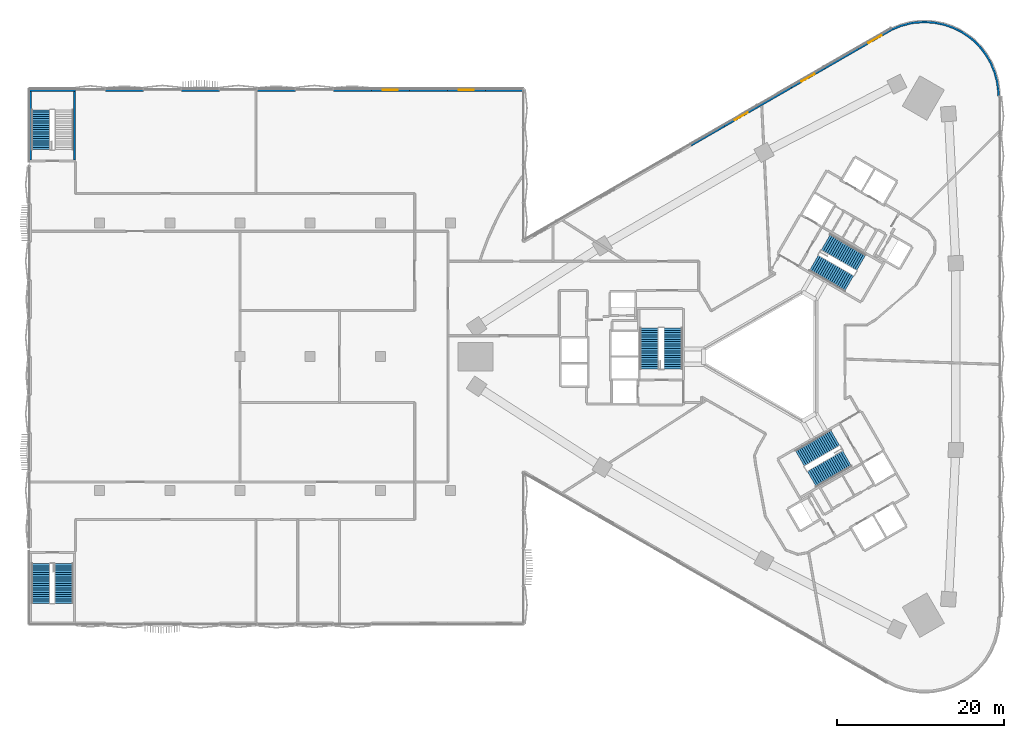
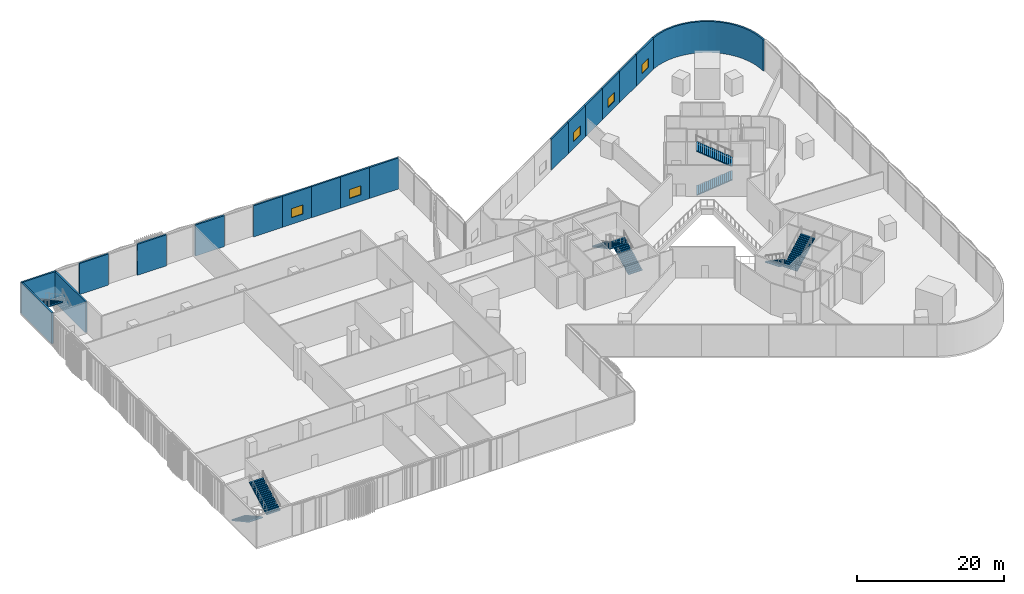
# One storey, part 18 of 31: 18 walls, 9 stair flights, 5 windows, 5 openings, 5 elements without a shape of their own.
"""IFC4 building model written with IfcOpenShell, lengths in metres."""

from ifc_helpers import new_model, si_unit, direction, frame, frame_2d, origin, place, context, subcontext, project, spatial, polyline, rectangle, outline, extrude, material, layer, layer_set, type_object, element, fill, aggregate, save


model = new_model("IFC4")

# Units and contexts
model_context = context("Model", 3, precision=1e-05, world=origin(), true_north=direction((0.0, 1.0)))
body_context = subcontext(model_context, "Body", "Model", "MODEL_VIEW")
ifc_project = project(units=[si_unit("LENGTHUNIT", "METRE"), si_unit("AREAUNIT", "SQUARE_METRE"), si_unit("VOLUMEUNIT", "CUBIC_METRE"), si_unit("PLANEANGLEUNIT", "RADIAN"), si_unit("MASSUNIT", "GRAM", prefix="KILO")], contexts=[model_context])

# Site, building, storey
site_placement = place(None, origin())
site = spatial("IfcSite", under=ifc_project, at=site_placement, CompositionType="ELEMENT")
building_placement = place(site_placement, origin())
building = spatial("IfcBuilding", under=site, at=building_placement, Name="Tamra Quay Hotel Tower", CompositionType="ELEMENT")
storey_placement = place(building_placement, frame((0.0, 0.0, 14.0)))
storey = spatial("IfcBuildingStorey", under=building, at=storey_placement, Name="L02", CompositionType="ELEMENT", Elevation=14.0)

# Walls
ifc_material_1 = material(Name="Concrete M70", Category="concrete")
ifc_layer_1 = layer(ifc_material_1, 0.199951171875)
ifc_layer_set_1 = layer_set([ifc_layer_1], Name="Concrete M70 core wall 200")
wall_type_1 = type_object("IfcWallType", Name="Concrete M70 core wall 200", PredefinedType="SHEAR", material=ifc_layer_set_1)
wall_1_placement = place(storey_placement, frame((-89.10009765625, 31.875, 0.0), z_axis=(0.0, 0.0, 1.0), x_axis=(1.0, 0.0, 0.0)))
element("IfcWall", 1, at=wall_1_placement, inside=storey, type_object=wall_type_1, Name="CW2", PredefinedType="SHEAR", context=body_context, shape_type="SweptSolid", body=[
    extrude(rectangle(XDim=5.5, YDim=0.25, at=frame_2d((2.75, 0.0))), origin(), (0.0, 0.0, 1.0), 5.14990234375),
])
for number, where, z_axis, x_axis, name in (
    (2, (-88.97509765625, 23.550048828125, 0.0), (0.0, 0.0, 1.0), (0.0, 1.0, 0.0), "CW2"),
    (3, (-83.72509765625, 23.550048828125, 0.0), (0.0, 0.0, 1.0), (0.0, 1.0, 0.0), "CW2"),
):
    element("IfcWall", number, at=place(storey_placement, frame(where, z_axis=z_axis, x_axis=x_axis)), inside=storey, type_object=wall_type_1, Name=name, PredefinedType="SHEAR", context=body_context, shape_type="SweptSolid", body=[
        extrude(rectangle(XDim=8.199951171875, YDim=0.25, at=frame_2d((4.10009765625, 0.0))), origin(), (0.0, 0.0, 1.0), 5.14990234375),
    ])
ifc_material_2 = material(Name="Blockwork masonry plastered", Category="masonry")
ifc_layer_2 = layer(ifc_material_2, 0.25)
ifc_layer_set_2 = layer_set([ifc_layer_2], Name="EXTERNAL WALL 250")
wall_type_2 = type_object("IfcWallType", Name="EXTERNAL WALL 250", PredefinedType="SOLIDWALL", material=ifc_layer_set_2)
wall_2_placement = place(storey_placement, origin())
element("IfcWall", 4, at=wall_2_placement, inside=storey, type_object=wall_type_2, Name="EW1", PredefinedType="SOLIDWALL", context=body_context, shape_type="SweptSolid", body=[
    extrude(outline(polyline([(27.0, 31.177001953125), (26.980712890625, 31.765625), (26.8271484375, 32.9326171875), (26.5224609375, 34.06982421875), (26.07177734375, 35.157470703125), (25.483154296875, 36.177001953125), (24.7666015625, 37.111083984375), (23.93408203125, 37.943359375), (23.478759765625, 38.317138671875), (22.5, 38.97119140625), (21.444091796875, 39.491943359375), (20.329345703125, 39.870361328125), (19.1748046875, 40.099853515625), (18.0, 40.177001953125), (16.8251953125, 40.099853515625), (16.244140625, 40.00390625), (15.10693359375, 39.69921875), (14.019287109375, 39.248779296875), (14.114990234375, 39.017822265625), (15.1875, 39.462158203125), (16.297119140625, 39.75927734375), (16.853759765625, 39.851318359375), (18.0, 39.92626953125), (19.14208984375, 39.8515625), (20.2646484375, 39.628173828125), (21.348388671875, 39.26025390625), (22.374755859375, 38.754150390625), (23.329833984375, 38.115966796875), (23.76611328125, 37.758056640625), (24.578125, 36.94580078125), (25.27490234375, 36.037841796875), (25.84716796875, 35.046630859375), (26.28515625, 33.9892578125), (26.581298828125, 32.8837890625), (26.731201171875, 31.7451171875), (26.750244140625, 31.168701171875), (27.0, 31.177001953125)])), origin(), (0.0, 0.0, 1.0), 5.14990234375),
])

# Wall, opening, window
wall_3_placement = place(storey_placement, frame((10.080078125, 36.83203125, 0.0), z_axis=(0.0, 0.0, 1.0), x_axis=(0.866216377649, 0.499669077583, 0.0)))
wall_3 = element("IfcWall", 5, at=wall_3_placement, inside=storey, type_object=wall_type_2, Name="EW1", PredefinedType="SOLIDWALL", context=body_context, shape_type="SweptSolid", body=[
    extrude(rectangle(XDim=4.619873046875, YDim=0.25, at=frame_2d((2.31005859375, 0.0))), origin(), (0.0, 0.0, 1.0), 5.14990234375),
])
opening_1_placement = place(wall_3_placement, frame((1.409912109375, 0.0, 1.10009765625)))
opening_1 = element("IfcOpeningElement", 6, at=opening_1_placement, cuts=wall_3, Name="Opening PW2", PredefinedType="OPENING", context=body_context, shape_type="SweptSolid", body=[
    extrude(rectangle(XDim=1.800048828125, YDim=1.5, at=frame_2d((0.89990234375, 0.75))), frame((0.0, 0.135009765625, 0.0), z_axis=(0.0, -1.0, 0.0), x_axis=(1.0, 0.0, 0.0)), (0.0, 0.0, 1.0), 0.27001953125),
])
ifc_material_3 = material(Name="Aluminium window with clear glass", Category="aluminium")
window_type = type_object("IfcWindowType", Name="PODIUM WINDOW 1800X1500", PartitioningType="DOUBLE_PANEL_VERTICAL", PredefinedType="WINDOW", material=ifc_material_3)
window_1_placement = place(opening_1_placement, origin())
window_1 = element("IfcWindow", 7, at=window_1_placement, inside=storey, type_object=window_type, Name="PW2", OverallHeight=1.5, OverallWidth=1.800048828125, PartitioningType="SINGLE_PANEL", PredefinedType="WINDOW", context=body_context, shape_type="SweptSolid", body=[
    extrude(rectangle(XDim=1.800048828125, YDim=1.5, at=frame_2d((0.89990234375, 0.75))), frame((0.0, 0.030029296875, 0.0), z_axis=(0.0, -1.0, 0.0), x_axis=(1.0, 0.0, 0.0)), (0.0, 0.0, 1.0), 0.06005859375),
])
fill(opening_1, window_1)

# Wall
wall_4_placement = place(storey_placement, frame((6.078369140625, 34.523681640625, 0.0), z_axis=(0.0, 0.0, 1.0), x_axis=(0.866216377649, 0.499669077583, 0.0)))
element("IfcWall", 8, at=wall_4_placement, inside=storey, type_object=wall_type_2, Name="EW1", PredefinedType="SOLIDWALL", context=body_context, shape_type="SweptSolid", body=[
    extrude(rectangle(XDim=4.619873046875, YDim=0.25, at=frame_2d((2.31005859375, 0.0))), origin(), (0.0, 0.0, 1.0), 5.14990234375),
])

# Wall, opening, window
wall_5_placement = place(storey_placement, frame((2.07666015625, 32.21533203125, 0.0), z_axis=(0.0, 0.0, 1.0), x_axis=(0.866216377649, 0.499669077583, 0.0)))
wall_5 = element("IfcWall", 9, at=wall_5_placement, inside=storey, type_object=wall_type_2, Name="EW1", PredefinedType="SOLIDWALL", context=body_context, shape_type="SweptSolid", body=[
    extrude(rectangle(XDim=4.619873046875, YDim=0.25, at=frame_2d((2.31005859375, 0.0))), origin(), (0.0, 0.0, 1.0), 5.14990234375),
])
opening_2_placement = place(wall_5_placement, frame((1.409912109375, 0.0, 1.10009765625)))
opening_2 = element("IfcOpeningElement", 10, at=opening_2_placement, cuts=wall_5, Name="Opening PW2", PredefinedType="OPENING", context=body_context, shape_type="SweptSolid", body=[
    extrude(rectangle(XDim=1.800048828125, YDim=1.5, at=frame_2d((0.89990234375, 0.75))), frame((0.0, 0.135009765625, 0.0), z_axis=(0.0, -1.0, 0.0), x_axis=(1.0, 0.0, 0.0)), (0.0, 0.0, 1.0), 0.27001953125),
])
window_2_placement = place(opening_2_placement, origin())
window_2 = element("IfcWindow", 11, at=window_2_placement, inside=storey, type_object=window_type, Name="PW2", OverallHeight=1.5, OverallWidth=1.800048828125, PartitioningType="SINGLE_PANEL", PredefinedType="WINDOW", context=body_context, shape_type="SweptSolid", body=[
    extrude(rectangle(XDim=1.800048828125, YDim=1.5, at=frame_2d((0.89990234375, 0.75))), frame((0.0, 0.030029296875, 0.0), z_axis=(0.0, -1.0, 0.0), x_axis=(1.0, 0.0, 0.0)), (0.0, 0.0, 1.0), 0.06005859375),
])
fill(opening_2, window_2)

# Wall
wall_6_placement = place(storey_placement, frame((-1.92529296875, 29.906982421875, 0.0), z_axis=(0.0, 0.0, 1.0), x_axis=(0.866229571029, 0.499646205105, 0.0)))
element("IfcWall", 12, at=wall_6_placement, inside=storey, type_object=wall_type_2, Name="EW1", PredefinedType="SOLIDWALL", context=body_context, shape_type="SweptSolid", body=[
    extrude(rectangle(XDim=4.619873046875, YDim=0.25, at=frame_2d((2.31005859375, 0.0))), origin(), (0.0, 0.0, 1.0), 5.14990234375),
])

# Wall, opening, window
wall_7_placement = place(storey_placement, frame((-5.927001953125, 27.598388671875, 0.0), z_axis=(0.0, 0.0, 1.0), x_axis=(0.866193503994, 0.4997087288, 0.0)))
wall_7 = element("IfcWall", 13, at=wall_7_placement, inside=storey, type_object=wall_type_2, Name="EW1", PredefinedType="SOLIDWALL", context=body_context, shape_type="SweptSolid", body=[
    extrude(rectangle(XDim=4.619873046875, YDim=0.25, at=frame_2d((2.31005859375, 0.0))), origin(), (0.0, 0.0, 1.0), 5.14990234375),
])
opening_3_placement = place(wall_7_placement, frame((1.409912109375, 0.0, 1.10009765625)))
opening_3 = element("IfcOpeningElement", 14, at=opening_3_placement, cuts=wall_7, Name="Opening PW2", PredefinedType="OPENING", context=body_context, shape_type="SweptSolid", body=[
    extrude(rectangle(XDim=1.800048828125, YDim=1.5, at=frame_2d((0.89990234375, 0.75))), frame((0.0, 0.135009765625, 0.0), z_axis=(0.0, -1.0, 0.0), x_axis=(1.0, 0.0, 0.0)), (0.0, 0.0, 1.0), 0.27001953125),
])
window_3_placement = place(opening_3_placement, origin())
window_3 = element("IfcWindow", 15, at=window_3_placement, inside=storey, type_object=window_type, Name="PW2", OverallHeight=1.5, OverallWidth=1.800048828125, PartitioningType="SINGLE_PANEL", PredefinedType="WINDOW", context=body_context, shape_type="SweptSolid", body=[
    extrude(rectangle(XDim=1.800048828125, YDim=1.5, at=frame_2d((0.89990234375, 0.75))), frame((0.0, 0.030029296875, 0.0), z_axis=(0.0, -1.0, 0.0), x_axis=(1.0, 0.0, 0.0)), (0.0, 0.0, 1.0), 0.06005859375),
])
fill(opening_3, window_3)

# Walls
wall_8_placement = place(storey_placement, frame((-9.9287109375, 25.2900390625, 0.0), z_axis=(0.0, 0.0, 1.0), x_axis=(0.866216377649, 0.499669077583, 0.0)))
element("IfcWall", 16, at=wall_8_placement, inside=storey, type_object=wall_type_2, Name="EW1", PredefinedType="SOLIDWALL", context=body_context, shape_type="SweptSolid", body=[
    extrude(rectangle(XDim=4.619873046875, YDim=0.25, at=frame_2d((2.31005859375, 0.0))), origin(), (0.0, 0.0, 1.0), 5.14990234375),
])
wall_9_placement = place(storey_placement, frame((-34.546142578125, 31.875, 0.0), z_axis=(0.0, 0.0, 1.0), x_axis=(1.0, 0.0, 0.0)))
element("IfcWall", 17, at=wall_9_placement, inside=storey, type_object=wall_type_2, Name="EW1", PredefinedType="SOLIDWALL", context=body_context, shape_type="SweptSolid", body=[
    extrude(rectangle(XDim=4.546142578125, YDim=0.25, at=frame_2d((2.27294921875, 0.0))), origin(), (0.0, 0.0, 1.0), 5.14990234375),
])

# Wall, opening, window
wall_10_placement = place(storey_placement, frame((-39.09228515625, 31.875, 0.0), z_axis=(0.0, 0.0, 1.0), x_axis=(1.0, 0.0, 0.0)))
wall_10 = element("IfcWall", 18, at=wall_10_placement, inside=storey, type_object=wall_type_2, Name="EW1", PredefinedType="SOLIDWALL", context=body_context, shape_type="SweptSolid", body=[
    extrude(rectangle(XDim=4.546142578125, YDim=0.25, at=frame_2d((2.27294921875, 0.0))), origin(), (0.0, 0.0, 1.0), 5.14990234375),
])
opening_4_placement = place(wall_10_placement, frame((1.373046875, 0.0, 1.10009765625)))
opening_4 = element("IfcOpeningElement", 19, at=opening_4_placement, cuts=wall_10, Name="Opening PW2", PredefinedType="OPENING", context=body_context, shape_type="SweptSolid", body=[
    extrude(rectangle(XDim=1.800048828125, YDim=1.5, at=frame_2d((0.89990234375, 0.75))), frame((0.0, 0.135009765625, 0.0), z_axis=(0.0, -1.0, 0.0), x_axis=(1.0, 0.0, 0.0)), (0.0, 0.0, 1.0), 0.27001953125),
])
window_4_placement = place(opening_4_placement, origin())
window_4 = element("IfcWindow", 20, at=window_4_placement, inside=storey, type_object=window_type, Name="PW2", OverallHeight=1.5, OverallWidth=1.800048828125, PartitioningType="SINGLE_PANEL", PredefinedType="WINDOW", context=body_context, shape_type="SweptSolid", body=[
    extrude(rectangle(XDim=1.800048828125, YDim=1.5, at=frame_2d((0.89990234375, 0.75))), frame((0.0, 0.030029296875, 0.0), z_axis=(0.0, -1.0, 0.0), x_axis=(1.0, 0.0, 0.0)), (0.0, 0.0, 1.0), 0.06005859375),
])
fill(opening_4, window_4)

# Wall
wall_11_placement = place(storey_placement, frame((-43.638427734375, 31.875, 0.0), z_axis=(0.0, 0.0, 1.0), x_axis=(1.0, 0.0, 0.0)))
element("IfcWall", 21, at=wall_11_placement, inside=storey, type_object=wall_type_2, Name="EW1", PredefinedType="SOLIDWALL", context=body_context, shape_type="SweptSolid", body=[
    extrude(rectangle(XDim=4.546142578125, YDim=0.25, at=frame_2d((2.27294921875, 0.0))), origin(), (0.0, 0.0, 1.0), 5.14990234375),
])

# Wall, opening, window
wall_12_placement = place(storey_placement, frame((-48.1845703125, 31.875, 0.0), z_axis=(0.0, 0.0, 1.0), x_axis=(1.0, 0.0, 0.0)))
wall_12 = element("IfcWall", 22, at=wall_12_placement, inside=storey, type_object=wall_type_2, Name="EW1", PredefinedType="SOLIDWALL", context=body_context, shape_type="SweptSolid", body=[
    extrude(rectangle(XDim=4.546142578125, YDim=0.25, at=frame_2d((2.27294921875, 0.0))), origin(), (0.0, 0.0, 1.0), 5.14990234375),
])
opening_5_placement = place(wall_12_placement, frame((1.373046875, 0.0, 1.10009765625)))
opening_5 = element("IfcOpeningElement", 23, at=opening_5_placement, cuts=wall_12, Name="Opening PW2", PredefinedType="OPENING", context=body_context, shape_type="SweptSolid", body=[
    extrude(rectangle(XDim=1.800048828125, YDim=1.5, at=frame_2d((0.89990234375, 0.75))), frame((0.0, 0.135009765625, 0.0), z_axis=(0.0, -1.0, 0.0), x_axis=(1.0, 0.0, 0.0)), (0.0, 0.0, 1.0), 0.27001953125),
])
window_5_placement = place(opening_5_placement, origin())
window_5 = element("IfcWindow", 24, at=window_5_placement, inside=storey, type_object=window_type, Name="PW2", OverallHeight=1.5, OverallWidth=1.800048828125, PartitioningType="SINGLE_PANEL", PredefinedType="WINDOW", context=body_context, shape_type="SweptSolid", body=[
    extrude(rectangle(XDim=1.800048828125, YDim=1.5, at=frame_2d((0.89990234375, 0.75))), frame((0.0, 0.030029296875, 0.0), z_axis=(0.0, -1.0, 0.0), x_axis=(1.0, 0.0, 0.0)), (0.0, 0.0, 1.0), 0.06005859375),
])
fill(opening_5, window_5)

# Walls
for number, where, z_axis, x_axis, name in (
    (25, (-52.730712890625, 31.875, 0.0), (0.0, 0.0, 1.0), (1.0, 0.0, 0.0), "EW1"),
    (26, (-61.822998046875, 31.875, 0.0), (0.0, 0.0, 1.0), (1.0, 0.0, 0.0), "EW1"),
    (27, (-70.915283203125, 31.875, 0.0), (0.0, 0.0, 1.0), (1.0, 0.0, 0.0), "EW1"),
):
    element("IfcWall", number, at=place(storey_placement, frame(where, z_axis=z_axis, x_axis=x_axis)), inside=storey, type_object=wall_type_2, Name=name, PredefinedType="SOLIDWALL", context=body_context, shape_type="SweptSolid", body=[
        extrude(rectangle(XDim=4.546142578125, YDim=0.25, at=frame_2d((2.27294921875, 0.0))), origin(), (0.0, 0.0, 1.0), 5.14990234375),
    ])
wall_13_placement = place(storey_placement, frame((-80.0078125, 31.875, 0.0), z_axis=(0.0, 0.0, 1.0), x_axis=(1.0, 0.0, 0.0)))
element("IfcWall", 28, at=wall_13_placement, inside=storey, type_object=wall_type_2, Name="EW1", PredefinedType="SOLIDWALL", context=body_context, shape_type="SweptSolid", body=[
    extrude(rectangle(XDim=4.54638671875, YDim=0.25, at=frame_2d((2.273193359375, 0.0))), origin(), (0.0, 0.0, 1.0), 5.14990234375),
])

# Stair, stair flights
ifc_material_4 = material(Name="Exit stair 2200 38 risers 144.7 going 272")
stair_type_1 = type_object("IfcStairType", Name="Exit stair 2200 38 risers 144.7 going 272", PredefinedType="HALF_TURN_STAIR", material=ifc_material_4)
stair_1_placement = place(storey_placement, origin())
stair_1 = element("IfcStair", 29, at=stair_1_placement, inside=storey, type_object=stair_type_1, Name="L02 Exit stair ST3", PredefinedType="HALF_TURN_STAIR")
ifc_material_5 = material(Name="Exit stair flight 2200 19 risers 144.7")
stair_flight_type = type_object("IfcStairFlightType", Name="Exit stair flight 2200 19 risers 144.7", PredefinedType="STRAIGHT", material=ifc_material_5)
stair_flight_1_placement = place(storey_placement, frame((-12.082275390625, -1.47998046875, 0.0), z_axis=(0.0, 0.0, 1.0), x_axis=(0.0, 1.0, 0.0)))
stair_flight_1 = element("IfcStairFlight", 30, at=stair_flight_1_placement, type_object=stair_flight_type, Name="ST3 flight 1", NumberOfRisers=19, NumberOfTreads=18, PredefinedType="STRAIGHT", RiserHeight=0.144736842, TreadLength=0.272, context=body_context, shape_type="SweptSolid", body=[
    extrude(outline(polyline([(0.0, 0.0), (0.0, 0.144775390625), (0.27197265625, 0.144775390625), (0.27197265625, 0.28955078125), (0.5439453125, 0.28955078125), (0.5439453125, 0.434326171875), (0.81591796875, 0.434326171875), (0.81591796875, 0.578857421875), (1.087890625, 0.578857421875), (1.087890625, 0.7236328125), (1.360107421875, 0.7236328125), (1.360107421875, 0.868408203125), (1.632080078125, 0.868408203125), (1.632080078125, 1.01318359375), (1.904052734375, 1.01318359375), (1.904052734375, 1.157958984375), (2.176025390625, 1.157958984375), (2.176025390625, 1.302734375), (2.447998046875, 1.302734375), (2.447998046875, 1.447265625), (2.719970703125, 1.447265625), (2.719970703125, 1.592041015625), (2.991943359375, 1.592041015625), (2.991943359375, 1.73681640625), (3.263916015625, 1.73681640625), (3.263916015625, 1.881591796875), (3.535888671875, 1.881591796875), (3.535888671875, 2.0263671875), (3.80810546875, 2.0263671875), (3.80810546875, 2.171142578125), (4.080078125, 2.171142578125), (4.080078125, 2.315673828125), (4.35205078125, 2.315673828125), (4.35205078125, 2.46044921875), (4.6240234375, 2.46044921875), (4.6240234375, 2.605224609375), (4.89599609375, 2.605224609375), (4.89599609375, 2.75), (4.89599609375, 2.491943359375), (0.213134765625, 0.0), (0.0, 0.0)])), frame((0.0, 1.10009765625, 0.0), z_axis=(0.0, -1.0, 0.0), x_axis=(1.0, 0.0, 0.0)), (0.0, 0.0, 1.0), 2.199951171875),
])
stair_flight_2_placement = place(storey_placement, frame((-14.94140625, 3.416015625, 2.75), z_axis=(0.0, 0.0, 1.0), x_axis=(0.0, -1.0, 0.0)))
stair_flight_2 = element("IfcStairFlight", 31, at=stair_flight_2_placement, type_object=stair_flight_type, Name="ST3 flight 2", NumberOfRisers=19, NumberOfTreads=18, PredefinedType="STRAIGHT", RiserHeight=0.144736842, TreadLength=0.272, context=body_context, shape_type="SweptSolid", body=[
    extrude(outline(polyline([(0.0, 0.0), (0.0, 0.144775390625), (0.27197265625, 0.144775390625), (0.27197265625, 0.28955078125), (0.5439453125, 0.28955078125), (0.5439453125, 0.434326171875), (0.81591796875, 0.434326171875), (0.81591796875, 0.578857421875), (1.087890625, 0.578857421875), (1.087890625, 0.7236328125), (1.360107421875, 0.7236328125), (1.360107421875, 0.868408203125), (1.632080078125, 0.868408203125), (1.632080078125, 1.01318359375), (1.904052734375, 1.01318359375), (1.904052734375, 1.157958984375), (2.176025390625, 1.157958984375), (2.176025390625, 1.302734375), (2.447998046875, 1.302734375), (2.447998046875, 1.447265625), (2.719970703125, 1.447265625), (2.719970703125, 1.592041015625), (2.991943359375, 1.592041015625), (2.991943359375, 1.73681640625), (3.263916015625, 1.73681640625), (3.263916015625, 1.881591796875), (3.535888671875, 1.881591796875), (3.535888671875, 2.0263671875), (3.80810546875, 2.0263671875), (3.80810546875, 2.171142578125), (4.080078125, 2.171142578125), (4.080078125, 2.315673828125), (4.35205078125, 2.315673828125), (4.35205078125, 2.46044921875), (4.6240234375, 2.46044921875), (4.6240234375, 2.605224609375), (4.89599609375, 2.605224609375), (4.89599609375, 2.75), (4.89599609375, 2.491943359375), (0.213134765625, 0.0), (0.0, 0.0)])), frame((0.0, 1.10009765625, 0.0), z_axis=(0.0, -1.0, 0.0), x_axis=(1.0, 0.0, 0.0)), (0.0, 0.0, 1.0), 2.199951171875),
])
aggregate(stair_1, [stair_flight_1, stair_flight_2])

stair_2_placement = place(storey_placement, origin())
stair_2 = element("IfcStair", 32, at=stair_2_placement, inside=storey, type_object=stair_type_1, Name="L02 Exit stair ST1", PredefinedType="HALF_TURN_STAIR")
stair_flight_3_placement = place(storey_placement, frame((4.75927734375, 11.20361328125, 0.0), z_axis=(0.0, 0.0, 1.0), x_axis=(0.866025403784, -0.5, 0.0)))
stair_flight_3 = element("IfcStairFlight", 33, at=stair_flight_3_placement, type_object=stair_flight_type, Name="ST1 flight 1", NumberOfRisers=19, NumberOfTreads=18, PredefinedType="STRAIGHT", RiserHeight=0.144736842, TreadLength=0.272, context=body_context, shape_type="SweptSolid", body=[
    extrude(outline(polyline([(0.0, 0.0), (0.0, 0.144775390625), (0.27197265625, 0.144775390625), (0.27197265625, 0.28955078125), (0.5439453125, 0.28955078125), (0.5439453125, 0.434326171875), (0.81591796875, 0.434326171875), (0.81591796875, 0.578857421875), (1.087890625, 0.578857421875), (1.087890625, 0.7236328125), (1.360107421875, 0.7236328125), (1.360107421875, 0.868408203125), (1.632080078125, 0.868408203125), (1.632080078125, 1.01318359375), (1.904052734375, 1.01318359375), (1.904052734375, 1.157958984375), (2.176025390625, 1.157958984375), (2.176025390625, 1.302734375), (2.447998046875, 1.302734375), (2.447998046875, 1.447265625), (2.719970703125, 1.447265625), (2.719970703125, 1.592041015625), (2.991943359375, 1.592041015625), (2.991943359375, 1.73681640625), (3.263916015625, 1.73681640625), (3.263916015625, 1.881591796875), (3.535888671875, 1.881591796875), (3.535888671875, 2.0263671875), (3.80810546875, 2.0263671875), (3.80810546875, 2.171142578125), (4.080078125, 2.171142578125), (4.080078125, 2.315673828125), (4.35205078125, 2.315673828125), (4.35205078125, 2.46044921875), (4.6240234375, 2.46044921875), (4.6240234375, 2.605224609375), (4.89599609375, 2.605224609375), (4.89599609375, 2.75), (4.89599609375, 2.491943359375), (0.213134765625, 0.0), (0.0, 0.0)])), frame((0.0, 1.10009765625, 0.0), z_axis=(0.0, -1.0, 0.0), x_axis=(1.0, 0.0, 0.0)), (0.0, 0.0, 1.0), 2.199951171875),
])
stair_flight_4_placement = place(storey_placement, frame((10.428955078125, 11.231689453125, 2.75), z_axis=(0.0, 0.0, 1.0), x_axis=(-0.866025403784, 0.5, 0.0)))
stair_flight_4 = element("IfcStairFlight", 34, at=stair_flight_4_placement, type_object=stair_flight_type, Name="ST1 flight 2", NumberOfRisers=19, NumberOfTreads=18, PredefinedType="STRAIGHT", RiserHeight=0.144736842, TreadLength=0.272, context=body_context, shape_type="SweptSolid", body=[
    extrude(outline(polyline([(0.0, 0.0), (0.0, 0.144775390625), (0.27197265625, 0.144775390625), (0.27197265625, 0.28955078125), (0.5439453125, 0.28955078125), (0.5439453125, 0.434326171875), (0.81591796875, 0.434326171875), (0.81591796875, 0.578857421875), (1.087890625, 0.578857421875), (1.087890625, 0.7236328125), (1.360107421875, 0.7236328125), (1.360107421875, 0.868408203125), (1.632080078125, 0.868408203125), (1.632080078125, 1.01318359375), (1.904052734375, 1.01318359375), (1.904052734375, 1.157958984375), (2.176025390625, 1.157958984375), (2.176025390625, 1.302734375), (2.447998046875, 1.302734375), (2.447998046875, 1.447265625), (2.719970703125, 1.447265625), (2.719970703125, 1.592041015625), (2.991943359375, 1.592041015625), (2.991943359375, 1.73681640625), (3.263916015625, 1.73681640625), (3.263916015625, 1.881591796875), (3.535888671875, 1.881591796875), (3.535888671875, 2.0263671875), (3.80810546875, 2.0263671875), (3.80810546875, 2.171142578125), (4.080078125, 2.171142578125), (4.080078125, 2.315673828125), (4.35205078125, 2.315673828125), (4.35205078125, 2.46044921875), (4.6240234375, 2.46044921875), (4.6240234375, 2.605224609375), (4.89599609375, 2.605224609375), (4.89599609375, 2.75), (4.89599609375, 2.491943359375), (0.213134765625, 0.0), (0.0, 0.0)])), frame((0.0, 1.10009765625, 0.0), z_axis=(0.0, -1.0, 0.0), x_axis=(1.0, 0.0, 0.0)), (0.0, 0.0, 1.0), 2.199951171875),
])
aggregate(stair_2, [stair_flight_3, stair_flight_4])

stair_3_placement = place(storey_placement, origin())
stair_3 = element("IfcStair", 35, at=stair_3_placement, inside=storey, type_object=stair_type_1, Name="L02 Exit stair ST2", PredefinedType="HALF_TURN_STAIR")
stair_flight_5_placement = place(storey_placement, frame((7.322998046875, -9.7236328125, 0.0), z_axis=(0.0, 0.0, 1.0), x_axis=(-0.866025403784, -0.5, 0.0)))
stair_flight_5 = element("IfcStairFlight", 36, at=stair_flight_5_placement, type_object=stair_flight_type, Name="ST2 flight 1", NumberOfRisers=19, NumberOfTreads=18, PredefinedType="STRAIGHT", RiserHeight=0.144736842, TreadLength=0.272, context=body_context, shape_type="SweptSolid", body=[
    extrude(outline(polyline([(0.0, 0.0), (0.0, 0.144775390625), (0.27197265625, 0.144775390625), (0.27197265625, 0.28955078125), (0.5439453125, 0.28955078125), (0.5439453125, 0.434326171875), (0.81591796875, 0.434326171875), (0.81591796875, 0.578857421875), (1.087890625, 0.578857421875), (1.087890625, 0.7236328125), (1.360107421875, 0.7236328125), (1.360107421875, 0.868408203125), (1.632080078125, 0.868408203125), (1.632080078125, 1.01318359375), (1.904052734375, 1.01318359375), (1.904052734375, 1.157958984375), (2.176025390625, 1.157958984375), (2.176025390625, 1.302734375), (2.447998046875, 1.302734375), (2.447998046875, 1.447265625), (2.719970703125, 1.447265625), (2.719970703125, 1.592041015625), (2.991943359375, 1.592041015625), (2.991943359375, 1.73681640625), (3.263916015625, 1.73681640625), (3.263916015625, 1.881591796875), (3.535888671875, 1.881591796875), (3.535888671875, 2.0263671875), (3.80810546875, 2.0263671875), (3.80810546875, 2.171142578125), (4.080078125, 2.171142578125), (4.080078125, 2.315673828125), (4.35205078125, 2.315673828125), (4.35205078125, 2.46044921875), (4.6240234375, 2.46044921875), (4.6240234375, 2.605224609375), (4.89599609375, 2.605224609375), (4.89599609375, 2.75), (4.89599609375, 2.491943359375), (0.213134765625, 0.0), (0.0, 0.0)])), frame((0.0, 1.10009765625, 0.0), z_axis=(0.0, -1.0, 0.0), x_axis=(1.0, 0.0, 0.0)), (0.0, 0.0, 1.0), 2.199951171875),
])
stair_flight_6_placement = place(storey_placement, frame((4.512451171875, -14.6474609375, 2.75), z_axis=(0.0, 0.0, 1.0), x_axis=(0.866025403784, 0.5, 0.0)))
stair_flight_6 = element("IfcStairFlight", 37, at=stair_flight_6_placement, type_object=stair_flight_type, Name="ST2 flight 2", NumberOfRisers=19, NumberOfTreads=18, PredefinedType="STRAIGHT", RiserHeight=0.144736842, TreadLength=0.272, context=body_context, shape_type="SweptSolid", body=[
    extrude(outline(polyline([(0.0, 0.0), (0.0, 0.144775390625), (0.27197265625, 0.144775390625), (0.27197265625, 0.28955078125), (0.5439453125, 0.28955078125), (0.5439453125, 0.434326171875), (0.81591796875, 0.434326171875), (0.81591796875, 0.578857421875), (1.087890625, 0.578857421875), (1.087890625, 0.7236328125), (1.360107421875, 0.7236328125), (1.360107421875, 0.868408203125), (1.632080078125, 0.868408203125), (1.632080078125, 1.01318359375), (1.904052734375, 1.01318359375), (1.904052734375, 1.157958984375), (2.176025390625, 1.157958984375), (2.176025390625, 1.302734375), (2.447998046875, 1.302734375), (2.447998046875, 1.447265625), (2.719970703125, 1.447265625), (2.719970703125, 1.592041015625), (2.991943359375, 1.592041015625), (2.991943359375, 1.73681640625), (3.263916015625, 1.73681640625), (3.263916015625, 1.881591796875), (3.535888671875, 1.881591796875), (3.535888671875, 2.0263671875), (3.80810546875, 2.0263671875), (3.80810546875, 2.171142578125), (4.080078125, 2.171142578125), (4.080078125, 2.315673828125), (4.35205078125, 2.315673828125), (4.35205078125, 2.46044921875), (4.6240234375, 2.46044921875), (4.6240234375, 2.605224609375), (4.89599609375, 2.605224609375), (4.89599609375, 2.75), (4.89599609375, 2.491943359375), (0.213134765625, 0.0), (0.0, 0.0)])), frame((0.0, 1.10009765625, 0.0), z_axis=(0.0, -1.0, 0.0), x_axis=(1.0, 0.0, 0.0)), (0.0, 0.0, 1.0), 2.199951171875),
])
aggregate(stair_3, [stair_flight_5, stair_flight_6])

# Stair, stair flight
ifc_material_6 = material(Name="Exit stair 2200 38 risers 144.7 going 264")
stair_type_2 = type_object("IfcStairType", Name="Exit stair 2200 38 risers 144.7 going 264", PredefinedType="HALF_TURN_STAIR", material=ifc_material_6)
stair_4_placement = place(storey_placement, origin())
stair_4 = element("IfcStair", 38, at=stair_4_placement, inside=storey, type_object=stair_type_2, Name="L02 Exit stair PS1", PredefinedType="HALF_TURN_STAIR")
stair_flight_7_placement = place(storey_placement, frame((-87.72998046875, 29.52197265625, 2.75), z_axis=(0.0, 0.0, 1.0), x_axis=(0.0, -1.0, 0.0)))
stair_flight_7 = element("IfcStairFlight", 39, at=stair_flight_7_placement, type_object=stair_flight_type, Name="PS1 flight 2", NumberOfRisers=19, NumberOfTreads=18, PredefinedType="STRAIGHT", RiserHeight=0.144736842, TreadLength=0.264, context=body_context, shape_type="SweptSolid", body=[
    extrude(outline(polyline([(0.0, 0.0), (0.0, 0.144775390625), (0.263916015625, 0.144775390625), (0.263916015625, 0.28955078125), (0.528076171875, 0.28955078125), (0.528076171875, 0.434326171875), (0.7919921875, 0.434326171875), (0.7919921875, 0.578857421875), (1.055908203125, 0.578857421875), (1.055908203125, 0.7236328125), (1.320068359375, 0.7236328125), (1.320068359375, 0.868408203125), (1.583984375, 0.868408203125), (1.583984375, 1.01318359375), (1.847900390625, 1.01318359375), (1.847900390625, 1.157958984375), (2.112060546875, 1.157958984375), (2.112060546875, 1.302734375), (2.3759765625, 1.302734375), (2.3759765625, 1.447265625), (2.639892578125, 1.447265625), (2.639892578125, 1.592041015625), (2.904052734375, 1.592041015625), (2.904052734375, 1.73681640625), (3.16796875, 1.73681640625), (3.16796875, 1.881591796875), (3.431884765625, 1.881591796875), (3.431884765625, 2.0263671875), (3.696044921875, 2.0263671875), (3.696044921875, 2.171142578125), (3.9599609375, 2.171142578125), (3.9599609375, 2.315673828125), (4.22412109375, 2.315673828125), (4.22412109375, 2.46044921875), (4.488037109375, 2.46044921875), (4.488037109375, 2.605224609375), (4.751953125, 2.605224609375), (4.751953125, 2.75), (4.751953125, 2.4912109375), (0.208251953125, 0.0), (0.0, 0.0)])), frame((0.0, 1.10009765625, 0.0), z_axis=(0.0, -1.0, 0.0), x_axis=(1.0, 0.0, 0.0)), (0.0, 0.0, 1.0), 2.199951171875),
])
aggregate(stair_4, [stair_flight_7])

# Stair, stair flights
stair_5_placement = place(storey_placement, origin())
stair_5 = element("IfcStair", 40, at=stair_5_placement, inside=storey, type_object=stair_type_2, Name="L02 Exit stair PS2", PredefinedType="HALF_TURN_STAIR")
stair_flight_8_placement = place(storey_placement, frame((-87.72998046875, -24.77001953125, 0.0), z_axis=(0.0, 0.0, 1.0), x_axis=(0.0, -1.0, 0.0)))
stair_flight_8 = element("IfcStairFlight", 41, at=stair_flight_8_placement, type_object=stair_flight_type, Name="PS2 flight 1", NumberOfRisers=19, NumberOfTreads=18, PredefinedType="STRAIGHT", RiserHeight=0.144736842, TreadLength=0.264, context=body_context, shape_type="SweptSolid", body=[
    extrude(outline(polyline([(0.0, 0.0), (0.0, 0.144775390625), (0.263916015625, 0.144775390625), (0.263916015625, 0.28955078125), (0.528076171875, 0.28955078125), (0.528076171875, 0.434326171875), (0.7919921875, 0.434326171875), (0.7919921875, 0.578857421875), (1.055908203125, 0.578857421875), (1.055908203125, 0.7236328125), (1.320068359375, 0.7236328125), (1.320068359375, 0.868408203125), (1.583984375, 0.868408203125), (1.583984375, 1.01318359375), (1.847900390625, 1.01318359375), (1.847900390625, 1.157958984375), (2.112060546875, 1.157958984375), (2.112060546875, 1.302734375), (2.3759765625, 1.302734375), (2.3759765625, 1.447265625), (2.639892578125, 1.447265625), (2.639892578125, 1.592041015625), (2.904052734375, 1.592041015625), (2.904052734375, 1.73681640625), (3.16796875, 1.73681640625), (3.16796875, 1.881591796875), (3.431884765625, 1.881591796875), (3.431884765625, 2.0263671875), (3.696044921875, 2.0263671875), (3.696044921875, 2.171142578125), (3.9599609375, 2.171142578125), (3.9599609375, 2.315673828125), (4.22412109375, 2.315673828125), (4.22412109375, 2.46044921875), (4.488037109375, 2.46044921875), (4.488037109375, 2.605224609375), (4.751953125, 2.605224609375), (4.751953125, 2.75), (4.751953125, 2.4912109375), (0.208251953125, 0.0), (0.0, 0.0)])), frame((0.0, 1.10009765625, 0.0), z_axis=(0.0, -1.0, 0.0), x_axis=(1.0, 0.0, 0.0)), (0.0, 0.0, 1.0), 2.199951171875),
])
stair_flight_9_placement = place(storey_placement, frame((-84.969970703125, -29.52197265625, 2.75), z_axis=(0.0, 0.0, 1.0), x_axis=(0.0, 1.0, 0.0)))
stair_flight_9 = element("IfcStairFlight", 42, at=stair_flight_9_placement, type_object=stair_flight_type, Name="PS2 flight 2", NumberOfRisers=19, NumberOfTreads=18, PredefinedType="STRAIGHT", RiserHeight=0.144736842, TreadLength=0.264, context=body_context, shape_type="SweptSolid", body=[
    extrude(outline(polyline([(0.0, 0.0), (0.0, 0.144775390625), (0.263916015625, 0.144775390625), (0.263916015625, 0.28955078125), (0.528076171875, 0.28955078125), (0.528076171875, 0.434326171875), (0.7919921875, 0.434326171875), (0.7919921875, 0.578857421875), (1.055908203125, 0.578857421875), (1.055908203125, 0.7236328125), (1.320068359375, 0.7236328125), (1.320068359375, 0.868408203125), (1.583984375, 0.868408203125), (1.583984375, 1.01318359375), (1.847900390625, 1.01318359375), (1.847900390625, 1.157958984375), (2.112060546875, 1.157958984375), (2.112060546875, 1.302734375), (2.3759765625, 1.302734375), (2.3759765625, 1.447265625), (2.639892578125, 1.447265625), (2.639892578125, 1.592041015625), (2.904052734375, 1.592041015625), (2.904052734375, 1.73681640625), (3.16796875, 1.73681640625), (3.16796875, 1.881591796875), (3.431884765625, 1.881591796875), (3.431884765625, 2.0263671875), (3.696044921875, 2.0263671875), (3.696044921875, 2.171142578125), (3.9599609375, 2.171142578125), (3.9599609375, 2.315673828125), (4.22412109375, 2.315673828125), (4.22412109375, 2.46044921875), (4.488037109375, 2.46044921875), (4.488037109375, 2.605224609375), (4.751953125, 2.605224609375), (4.751953125, 2.75), (4.751953125, 2.4912109375), (0.208251953125, 0.0), (0.0, 0.0)])), frame((0.0, 1.10009765625, 0.0), z_axis=(0.0, -1.0, 0.0), x_axis=(1.0, 0.0, 0.0)), (0.0, 0.0, 1.0), 2.199951171875),
])
aggregate(stair_5, [stair_flight_8, stair_flight_9])

save(model, "model.ifc")
